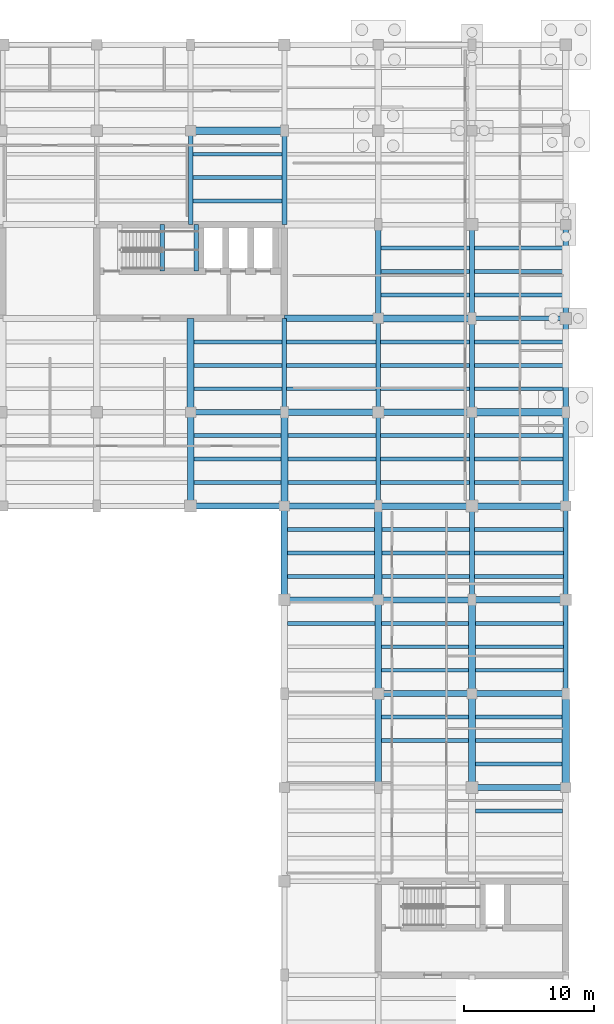
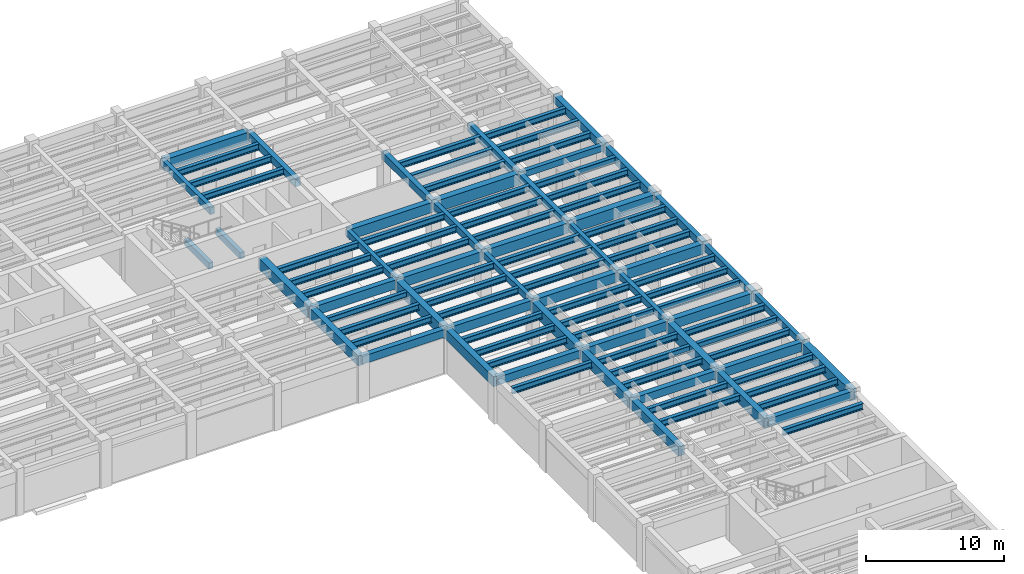
# One storey, part 13 of 33: 100 beams.
"""IFC4 building model written with IfcOpenShell, lengths in metres."""

from ifc_helpers import new_model, si_unit, direction, frame, origin, origin_2d, place, context, subcontext, project, spatial, rectangle, i_section, extrude, material, material_profile, profile_set, type_object, element, save


model = new_model("IFC4")

# Units and contexts
model_context = context("Model", 3, precision=1e-05, world=origin(), true_north=direction((0.0, 1.0)))
body_context = subcontext(model_context, "Body", "Model", "MODEL_VIEW")
ifc_project = project(units=[si_unit("LENGTHUNIT", "METRE"), si_unit("AREAUNIT", "SQUARE_METRE"), si_unit("VOLUMEUNIT", "CUBIC_METRE"), si_unit("PLANEANGLEUNIT", "RADIAN"), si_unit("MASSUNIT", "GRAM", prefix="KILO")], contexts=[model_context])

# Site, building, storey
site_placement = place(None, origin())
site = spatial("IfcSite", under=ifc_project, at=site_placement, CompositionType="ELEMENT")
building_placement = place(site_placement, origin())
building = spatial("IfcBuilding", under=site, at=building_placement, Name="Mithqara Police Headquarters", CompositionType="ELEMENT")
storey_placement = place(building_placement, frame((0.0, 0.0, -4.199951171875)))
storey = spatial("IfcBuildingStorey", under=building, at=storey_placement, Name="B1", CompositionType="ELEMENT", Elevation=-4.199951171875)

# Beams
ifc_material_1 = material(Name="Steel S355JR", Category="steel")
ifc_material_profile_1 = material_profile(ifc_material_1, i_section(OverallWidth=0.300048828125, OverallDepth=0.550048828125, WebThickness=0.014892578125, FlangeThickness=0.029052734375, FilletRadius=0.027099609375, at=origin_2d()), Name="HEB 550")
ifc_profile_set_1 = profile_set([ifc_material_profile_1], Name="Steel S355JR")
beam_type_1 = type_object("IfcBeamType", Name="BEAM HEB550", PredefinedType="BEAM", material=ifc_profile_set_1)
for number, where, z_axis, x_axis, name in (
    (1, (137.64990234375, 80.39990234375, 3.60498046875), (1.0, 0.0, 0.0), (0.0, 1.0, 0.0), "B1 Composite Steel Joist 20-21/M.1"),
    (2, (137.64990234375, 82.199951171875, 3.60498046875), (1.0, 0.0, 0.0), (0.0, 1.0, 0.0), "B1 Composite Steel Joist 20-21/M.2"),
    (3, (137.64990234375, 84.0, 3.60498046875), (1.0, 0.0, 0.0), (0.0, 1.0, 0.0), "B1 Composite Steel Joist 20-21/M.3"),
):
    element("IfcBeam", number, at=place(storey_placement, frame(where, z_axis=z_axis, x_axis=x_axis)), inside=storey, type_object=beam_type_1, Name=name, PredefinedType="BEAM", context=body_context, shape_type="SweptSolid", body=[
        extrude(i_section(OverallWidth=0.300048828125, OverallDepth=0.550048828125, WebThickness=0.014892578125, FlangeThickness=0.029052734375, FilletRadius=0.027099609375, at=origin_2d()), origin(), (0.0, 0.0, 1.0), 6.675048828125),
    ])
for number, where, z_axis, x_axis, name in (
    (4, (137.675048828125, 87.60009765625, 3.60498046875), (1.0, 0.0, 0.0), (0.0, 1.0, 0.0), "B1 Composite Steel Joist 20-21/N.1"),
    (5, (137.675048828125, 89.39990234375, 3.60498046875), (1.0, 0.0, 0.0), (0.0, 1.0, 0.0), "B1 Composite Steel Joist 20-21/N.2"),
    (6, (137.675048828125, 91.199951171875, 3.60498046875), (1.0, 0.0, 0.0), (0.0, 1.0, 0.0), "B1 Composite Steel Joist 20-21/N.3"),
):
    element("IfcBeam", number, at=place(storey_placement, frame(where, z_axis=z_axis, x_axis=x_axis)), inside=storey, type_object=beam_type_1, Name=name, PredefinedType="BEAM", context=body_context, shape_type="SweptSolid", body=[
        extrude(i_section(OverallWidth=0.300048828125, OverallDepth=0.550048828125, WebThickness=0.014892578125, FlangeThickness=0.029052734375, FilletRadius=0.027099609375, at=origin_2d()), origin(), (0.0, 0.0, 1.0), 6.75),
    ])
for number, where, z_axis, x_axis, name in (
    (7, (137.574951171875, 102.0, 3.60498046875), (1.0, 0.0, 0.0), (0.0, 1.0, 0.0), "B1 Composite Steel Joist 20-21/Q.1"),
    (8, (137.574951171875, 103.800048828125, 3.60498046875), (1.0, 0.0, 0.0), (0.0, 1.0, 0.0), "B1 Composite Steel Joist 20-21/Q.2"),
    (9, (137.574951171875, 105.60009765625, 3.60498046875), (1.0, 0.0, 0.0), (0.0, 1.0, 0.0), "B1 Composite Steel Joist 20-21/Q.3"),
):
    element("IfcBeam", number, at=place(storey_placement, frame(where, z_axis=z_axis, x_axis=x_axis)), inside=storey, type_object=beam_type_1, Name=name, PredefinedType="BEAM", context=body_context, shape_type="SweptSolid", body=[
        extrude(i_section(OverallWidth=0.300048828125, OverallDepth=0.550048828125, WebThickness=0.014892578125, FlangeThickness=0.029052734375, FilletRadius=0.027099609375, at=origin_2d()), origin(), (0.0, 0.0, 1.0), 6.824951171875),
    ])
beam_1_placement = place(storey_placement, frame((144.85009765625, 69.60009765625, 3.60498046875), z_axis=(1.0, 0.0, 0.0), x_axis=(0.0, 1.0, 0.0)))
element("IfcBeam", 10, at=beam_1_placement, inside=storey, type_object=beam_type_1, Name="B1 Composite Steel Joist 21-22/K.3", PredefinedType="BEAM", context=body_context, shape_type="SweptSolid", body=[
    extrude(i_section(OverallWidth=0.300048828125, OverallDepth=0.550048828125, WebThickness=0.014892578125, FlangeThickness=0.029052734375, FilletRadius=0.027099609375, at=origin_2d()), origin(), (0.0, 0.0, 1.0), 6.699951171875),
])
for number, where, z_axis, x_axis, name in (
    (11, (144.85009765625, 73.199951171875, 3.60498046875), (1.0, 0.0, 0.0), (0.0, 1.0, 0.0), "B1 Composite Steel Joist 21-22/L.1"),
    (12, (144.85009765625, 75.0, 3.60498046875), (1.0, 0.0, 0.0), (0.0, 1.0, 0.0), "B1 Composite Steel Joist 21-22/L.2"),
    (13, (144.85009765625, 76.800048828125, 3.60498046875), (1.0, 0.0, 0.0), (0.0, 1.0, 0.0), "B1 Composite Steel Joist 21-22/L.3"),
):
    element("IfcBeam", number, at=place(storey_placement, frame(where, z_axis=z_axis, x_axis=x_axis)), inside=storey, type_object=beam_type_1, Name=name, PredefinedType="BEAM", context=body_context, shape_type="SweptSolid", body=[
        extrude(i_section(OverallWidth=0.300048828125, OverallDepth=0.550048828125, WebThickness=0.014892578125, FlangeThickness=0.029052734375, FilletRadius=0.027099609375, at=origin_2d()), origin(), (0.0, 0.0, 1.0), 6.6748046875),
    ])
for number, where, z_axis, x_axis, name in (
    (14, (144.875, 80.39990234375, 3.60498046875), (1.0, 0.0, 0.0), (0.0, 1.0, 0.0), "B1 Composite Steel Joist 21-22/M.1"),
    (15, (144.875, 82.199951171875, 3.60498046875), (1.0, 0.0, 0.0), (0.0, 1.0, 0.0), "B1 Composite Steel Joist 21-22/M.2"),
    (16, (144.875, 84.0, 3.60498046875), (1.0, 0.0, 0.0), (0.0, 1.0, 0.0), "B1 Composite Steel Joist 21-22/M.3"),
):
    element("IfcBeam", number, at=place(storey_placement, frame(where, z_axis=z_axis, x_axis=x_axis)), inside=storey, type_object=beam_type_1, Name=name, PredefinedType="BEAM", context=body_context, shape_type="SweptSolid", body=[
        extrude(i_section(OverallWidth=0.300048828125, OverallDepth=0.550048828125, WebThickness=0.014892578125, FlangeThickness=0.029052734375, FilletRadius=0.027099609375, at=origin_2d()), origin(), (0.0, 0.0, 1.0), 6.75),
    ])
for number, where, z_axis, x_axis, name in (
    (17, (144.77490234375, 87.60009765625, 3.60498046875), (1.0, 0.0, 0.0), (0.0, 1.0, 0.0), "B1 Composite Steel Joist 21-22/N.1"),
    (18, (144.77490234375, 89.39990234375, 3.60498046875), (1.0, 0.0, 0.0), (0.0, 1.0, 0.0), "B1 Composite Steel Joist 21-22/N.2"),
    (19, (144.77490234375, 91.199951171875, 3.60498046875), (1.0, 0.0, 0.0), (0.0, 1.0, 0.0), "B1 Composite Steel Joist 21-22/N.3"),
):
    element("IfcBeam", number, at=place(storey_placement, frame(where, z_axis=z_axis, x_axis=x_axis)), inside=storey, type_object=beam_type_1, Name=name, PredefinedType="BEAM", context=body_context, shape_type="SweptSolid", body=[
        extrude(i_section(OverallWidth=0.300048828125, OverallDepth=0.550048828125, WebThickness=0.014892578125, FlangeThickness=0.029052734375, FilletRadius=0.027099609375, at=origin_2d()), origin(), (0.0, 0.0, 1.0), 6.85009765625),
    ])
for number, where, z_axis, x_axis, name in (
    (20, (152.050048828125, 60.60009765625, 3.60498046875), (1.0, 0.0, 0.0), (0.0, 1.0, 0.0), "B1 Composite Steel Joist 22-23/J.2"),
    (21, (152.050048828125, 62.39990234375, 3.60498046875), (1.0, 0.0, 0.0), (0.0, 1.0, 0.0), "B1 Composite Steel Joist 22-23/J.3"),
):
    element("IfcBeam", number, at=place(storey_placement, frame(where, z_axis=z_axis, x_axis=x_axis)), inside=storey, type_object=beam_type_1, Name=name, PredefinedType="BEAM", context=body_context, shape_type="SweptSolid", body=[
        extrude(i_section(OverallWidth=0.300048828125, OverallDepth=0.550048828125, WebThickness=0.014892578125, FlangeThickness=0.029052734375, FilletRadius=0.027099609375, at=origin_2d()), origin(), (0.0, 0.0, 1.0), 6.699951171875),
    ])
for number, where, z_axis, x_axis, name in (
    (22, (152.050048828125, 66.0, 3.60498046875), (1.0, 0.0, 0.0), (0.0, 1.0, 0.0), "B1 Composite Steel Joist 22-23/K.1"),
    (23, (152.050048828125, 67.800048828125, 3.60498046875), (1.0, 0.0, 0.0), (0.0, 1.0, 0.0), "B1 Composite Steel Joist 22-23/K.2"),
    (24, (152.050048828125, 69.60009765625, 3.60498046875), (1.0, 0.0, 0.0), (0.0, 1.0, 0.0), "B1 Composite Steel Joist 22-23/K.3"),
):
    element("IfcBeam", number, at=place(storey_placement, frame(where, z_axis=z_axis, x_axis=x_axis)), inside=storey, type_object=beam_type_1, Name=name, PredefinedType="BEAM", context=body_context, shape_type="SweptSolid", body=[
        extrude(i_section(OverallWidth=0.300048828125, OverallDepth=0.550048828125, WebThickness=0.014892578125, FlangeThickness=0.029052734375, FilletRadius=0.027099609375, at=origin_2d()), origin(), (0.0, 0.0, 1.0), 6.675048828125),
    ])
for number, where, z_axis, x_axis, name in (
    (25, (152.074951171875, 73.199951171875, 3.60498046875), (1.0, 0.0, 0.0), (0.0, 1.0, 0.0), "B1 Composite Steel Joist 22-23/L.1"),
    (26, (152.074951171875, 75.0, 3.60498046875), (1.0, 0.0, 0.0), (0.0, 1.0, 0.0), "B1 Composite Steel Joist 22-23/L.2"),
    (27, (152.074951171875, 76.800048828125, 3.60498046875), (1.0, 0.0, 0.0), (0.0, 1.0, 0.0), "B1 Composite Steel Joist 22-23/L.3"),
):
    element("IfcBeam", number, at=place(storey_placement, frame(where, z_axis=z_axis, x_axis=x_axis)), inside=storey, type_object=beam_type_1, Name=name, PredefinedType="BEAM", context=body_context, shape_type="SweptSolid", body=[
        extrude(i_section(OverallWidth=0.300048828125, OverallDepth=0.550048828125, WebThickness=0.014892578125, FlangeThickness=0.029052734375, FilletRadius=0.027099609375, at=origin_2d()), origin(), (0.0, 0.0, 1.0), 6.75),
    ])
for number, where, z_axis, x_axis, name in (
    (28, (151.97509765625, 80.39990234375, 3.60498046875), (1.0, 0.0, 0.0), (0.0, 1.0, 0.0), "B1 Composite Steel Joist 22-23/M.1"),
    (29, (151.97509765625, 82.199951171875, 3.60498046875), (1.0, 0.0, 0.0), (0.0, 1.0, 0.0), "B1 Composite Steel Joist 22-23/M.2"),
    (30, (151.97509765625, 84.0, 3.60498046875), (1.0, 0.0, 0.0), (0.0, 1.0, 0.0), "B1 Composite Steel Joist 22-23/M.3"),
):
    element("IfcBeam", number, at=place(storey_placement, frame(where, z_axis=z_axis, x_axis=x_axis)), inside=storey, type_object=beam_type_1, Name=name, PredefinedType="BEAM", context=body_context, shape_type="SweptSolid", body=[
        extrude(i_section(OverallWidth=0.300048828125, OverallDepth=0.550048828125, WebThickness=0.014892578125, FlangeThickness=0.029052734375, FilletRadius=0.027099609375, at=origin_2d()), origin(), (0.0, 0.0, 1.0), 6.849853515625),
    ])
for number, where, z_axis, x_axis, name in (
    (31, (151.97509765625, 87.60009765625, 3.60498046875), (1.0, 0.0, 0.0), (0.0, 1.0, 0.0), "B1 Composite Steel Joist 22-23/N.1"),
    (32, (151.97509765625, 89.39990234375, 3.60498046875), (1.0, 0.0, 0.0), (0.0, 1.0, 0.0), "B1 Composite Steel Joist 22-23/N.2"),
    (33, (151.97509765625, 91.199951171875, 3.60498046875), (1.0, 0.0, 0.0), (0.0, 1.0, 0.0), "B1 Composite Steel Joist 22-23/N.3"),
):
    element("IfcBeam", number, at=place(storey_placement, frame(where, z_axis=z_axis, x_axis=x_axis)), inside=storey, type_object=beam_type_1, Name=name, PredefinedType="BEAM", context=body_context, shape_type="SweptSolid", body=[
        extrude(i_section(OverallWidth=0.300048828125, OverallDepth=0.550048828125, WebThickness=0.014892578125, FlangeThickness=0.029052734375, FilletRadius=0.027099609375, at=origin_2d()), origin(), (0.0, 0.0, 1.0), 6.824951171875),
    ])
for number, where, z_axis, x_axis, name in (
    (34, (152.0, 94.800048828125, 3.60498046875), (1.0, 0.0, 0.0), (0.0, 1.0, 0.0), "B1 Composite Steel Joist 22-23/P.1"),
    (35, (152.0, 96.60009765625, 3.60498046875), (1.0, 0.0, 0.0), (0.0, 1.0, 0.0), "B1 Composite Steel Joist 22-23/P.2"),
    (36, (152.0, 98.39990234375, 3.60498046875), (1.0, 0.0, 0.0), (0.0, 1.0, 0.0), "B1 Composite Steel Joist 22-23/P.3"),
):
    element("IfcBeam", number, at=place(storey_placement, frame(where, z_axis=z_axis, x_axis=x_axis)), inside=storey, type_object=beam_type_1, Name=name, PredefinedType="BEAM", context=body_context, shape_type="SweptSolid", body=[
        extrude(i_section(OverallWidth=0.300048828125, OverallDepth=0.550048828125, WebThickness=0.014892578125, FlangeThickness=0.029052734375, FilletRadius=0.027099609375, at=origin_2d()), origin(), (0.0, 0.0, 1.0), 6.800048828125),
    ])
beam_2_placement = place(storey_placement, frame((159.25, 55.199951171875, 3.60498046875), z_axis=(1.0, 0.0, 0.0), x_axis=(0.0, 1.0, 0.0)))
element("IfcBeam", 37, at=beam_2_placement, inside=storey, type_object=beam_type_1, Name="B1 Composite Steel Joist 23-24/H.3", PredefinedType="BEAM", context=body_context, shape_type="SweptSolid", body=[
    extrude(i_section(OverallWidth=0.300048828125, OverallDepth=0.550048828125, WebThickness=0.014892578125, FlangeThickness=0.029052734375, FilletRadius=0.027099609375, at=origin_2d()), origin(), (0.0, 0.0, 1.0), 6.699951171875),
])
for number, where, z_axis, x_axis, name in (
    (38, (159.25, 58.800048828125, 3.60498046875), (1.0, 0.0, 0.0), (0.0, 1.0, 0.0), "B1 Composite Steel Joist 23-24/J.1"),
    (39, (159.25, 60.60009765625, 3.60498046875), (1.0, 0.0, 0.0), (0.0, 1.0, 0.0), "B1 Composite Steel Joist 23-24/J.2"),
    (40, (159.25, 62.39990234375, 3.60498046875), (1.0, 0.0, 0.0), (0.0, 1.0, 0.0), "B1 Composite Steel Joist 23-24/J.3"),
):
    element("IfcBeam", number, at=place(storey_placement, frame(where, z_axis=z_axis, x_axis=x_axis)), inside=storey, type_object=beam_type_1, Name=name, PredefinedType="BEAM", context=body_context, shape_type="SweptSolid", body=[
        extrude(i_section(OverallWidth=0.300048828125, OverallDepth=0.550048828125, WebThickness=0.014892578125, FlangeThickness=0.029052734375, FilletRadius=0.027099609375, at=origin_2d()), origin(), (0.0, 0.0, 1.0), 6.675048828125),
    ])
for number, where, z_axis, x_axis, name in (
    (41, (159.27490234375, 66.0, 3.60498046875), (1.0, 0.0, 0.0), (0.0, 1.0, 0.0), "B1 Composite Steel Joist 23-24/K.1"),
    (42, (159.27490234375, 67.800048828125, 3.60498046875), (1.0, 0.0, 0.0), (0.0, 1.0, 0.0), "B1 Composite Steel Joist 23-24/K.2"),
    (43, (159.27490234375, 69.60009765625, 3.60498046875), (1.0, 0.0, 0.0), (0.0, 1.0, 0.0), "B1 Composite Steel Joist 23-24/K.3"),
):
    element("IfcBeam", number, at=place(storey_placement, frame(where, z_axis=z_axis, x_axis=x_axis)), inside=storey, type_object=beam_type_1, Name=name, PredefinedType="BEAM", context=body_context, shape_type="SweptSolid", body=[
        extrude(i_section(OverallWidth=0.300048828125, OverallDepth=0.550048828125, WebThickness=0.014892578125, FlangeThickness=0.029052734375, FilletRadius=0.027099609375, at=origin_2d()), origin(), (0.0, 0.0, 1.0), 6.75),
    ])
for number, where, z_axis, x_axis, name in (
    (44, (159.175048828125, 73.199951171875, 3.60498046875), (1.0, 0.0, 0.0), (0.0, 1.0, 0.0), "B1 Composite Steel Joist 23-24/L.1"),
    (45, (159.175048828125, 75.0, 3.60498046875), (1.0, 0.0, 0.0), (0.0, 1.0, 0.0), "B1 Composite Steel Joist 23-24/L.2"),
    (46, (159.175048828125, 76.800048828125, 3.60498046875), (1.0, 0.0, 0.0), (0.0, 1.0, 0.0), "B1 Composite Steel Joist 23-24/L.3"),
):
    element("IfcBeam", number, at=place(storey_placement, frame(where, z_axis=z_axis, x_axis=x_axis)), inside=storey, type_object=beam_type_1, Name=name, PredefinedType="BEAM", context=body_context, shape_type="SweptSolid", body=[
        extrude(i_section(OverallWidth=0.300048828125, OverallDepth=0.550048828125, WebThickness=0.014892578125, FlangeThickness=0.029052734375, FilletRadius=0.027099609375, at=origin_2d()), origin(), (0.0, 0.0, 1.0), 6.849853515625),
    ])
for number, where, z_axis, x_axis, name in (
    (47, (159.175048828125, 80.39990234375, 3.60498046875), (1.0, 0.0, 0.0), (0.0, 1.0, 0.0), "B1 Composite Steel Joist 23-24/M.1"),
    (48, (159.175048828125, 82.199951171875, 3.60498046875), (1.0, 0.0, 0.0), (0.0, 1.0, 0.0), "B1 Composite Steel Joist 23-24/M.2"),
    (49, (159.175048828125, 84.0, 3.60498046875), (1.0, 0.0, 0.0), (0.0, 1.0, 0.0), "B1 Composite Steel Joist 23-24/M.3"),
):
    element("IfcBeam", number, at=place(storey_placement, frame(where, z_axis=z_axis, x_axis=x_axis)), inside=storey, type_object=beam_type_1, Name=name, PredefinedType="BEAM", context=body_context, shape_type="SweptSolid", body=[
        extrude(i_section(OverallWidth=0.300048828125, OverallDepth=0.550048828125, WebThickness=0.014892578125, FlangeThickness=0.029052734375, FilletRadius=0.027099609375, at=origin_2d()), origin(), (0.0, 0.0, 1.0), 6.824951171875),
    ])
for number, where, z_axis, x_axis, name in (
    (50, (159.199951171875, 87.60009765625, 3.60498046875), (1.0, 0.0, 0.0), (0.0, 1.0, 0.0), "B1 Composite Steel Joist 23-24/N.1"),
    (51, (159.199951171875, 89.39990234375, 3.60498046875), (1.0, 0.0, 0.0), (0.0, 1.0, 0.0), "B1 Composite Steel Joist 23-24/N.2"),
    (52, (159.199951171875, 91.199951171875, 3.60498046875), (1.0, 0.0, 0.0), (0.0, 1.0, 0.0), "B1 Composite Steel Joist 23-24/N.3"),
):
    element("IfcBeam", number, at=place(storey_placement, frame(where, z_axis=z_axis, x_axis=x_axis)), inside=storey, type_object=beam_type_1, Name=name, PredefinedType="BEAM", context=body_context, shape_type="SweptSolid", body=[
        extrude(i_section(OverallWidth=0.300048828125, OverallDepth=0.550048828125, WebThickness=0.014892578125, FlangeThickness=0.029052734375, FilletRadius=0.027099609375, at=origin_2d()), origin(), (0.0, 0.0, 1.0), 6.800048828125),
    ])
for number, where, z_axis, x_axis, name in (
    (53, (159.199951171875, 94.800048828125, 3.60498046875), (1.0, 0.0, 0.0), (0.0, 1.0, 0.0), "B1 Composite Steel Joist 23-24/P.1"),
    (54, (159.199951171875, 96.60009765625, 3.60498046875), (1.0, 0.0, 0.0), (0.0, 1.0, 0.0), "B1 Composite Steel Joist 23-24/P.2"),
    (55, (159.199951171875, 98.39990234375, 3.60498046875), (1.0, 0.0, 0.0), (0.0, 1.0, 0.0), "B1 Composite Steel Joist 23-24/P.3"),
):
    element("IfcBeam", number, at=place(storey_placement, frame(where, z_axis=z_axis, x_axis=x_axis)), inside=storey, type_object=beam_type_1, Name=name, PredefinedType="BEAM", context=body_context, shape_type="SweptSolid", body=[
        extrude(i_section(OverallWidth=0.300048828125, OverallDepth=0.550048828125, WebThickness=0.014892578125, FlangeThickness=0.029052734375, FilletRadius=0.027099609375, at=origin_2d()), origin(), (0.0, 0.0, 1.0), 6.775146484375),
    ])
ifc_material_2 = material(Name="Concrete C40/50", Category="concrete")
ifc_material_profile_2 = material_profile(ifc_material_2, rectangle(XDim=0.35009765625, YDim=0.550048828125, at=origin_2d()), Name="RC 350x550")
ifc_profile_set_2 = profile_set([ifc_material_profile_2], Name="Concrete C40/50")
beam_type_2 = type_object("IfcBeamType", Name="BEAM RC350X550", PredefinedType="BEAM", material=ifc_profile_set_2)
for number, where, z_axis, x_axis, name in (
    (56, (144.60009765625, 85.800048828125, 3.60498046875), (0.0, 1.0, 0.0), (-1.0, 0.0, 0.0), "B1 Girder 21/N-P"),
    (57, (151.800048828125, 78.60009765625, 3.60498046875), (0.0, 1.0, 0.0), (-1.0, 0.0, 0.0), "B1 Girder 22/M-N"),
):
    element("IfcBeam", number, at=place(storey_placement, frame(where, z_axis=z_axis, x_axis=x_axis)), inside=storey, type_object=beam_type_2, Name=name, PredefinedType="BEAM", context=body_context, shape_type="SweptSolid", body=[
        extrude(rectangle(XDim=0.35009765625, YDim=0.550048828125, at=origin_2d()), origin(), (0.0, 0.0, 1.0), 7.199951171875),
    ])
beam_3_placement = place(storey_placement, frame((159.0, 71.39990234375, 3.60498046875), z_axis=(0.0, 1.0, 0.0), x_axis=(-1.0, 0.0, 0.0)))
element("IfcBeam", 58, at=beam_3_placement, inside=storey, type_object=beam_type_2, Name="B1 Girder 23/L-M", PredefinedType="BEAM", context=body_context, shape_type="SweptSolid", body=[
    extrude(rectangle(XDim=0.35009765625, YDim=0.550048828125, at=origin_2d()), origin(), (0.0, 0.0, 1.0), 7.2001953125),
])
for number, where, z_axis, x_axis, name in (
    (59, (159.0, 93.0, 3.60498046875), (1.0, 0.0, 0.0), (0.0, 1.0, 0.0), "B1 Girder 23-24/P"),
    (60, (166.199951171875, 64.199951171875, 3.60498046875), (0.0, 1.0, 0.0), (-1.0, 0.0, 0.0), "B1 Girder 24/K-L"),
):
    element("IfcBeam", number, at=place(storey_placement, frame(where, z_axis=z_axis, x_axis=x_axis)), inside=storey, type_object=beam_type_2, Name=name, PredefinedType="BEAM", context=body_context, shape_type="SweptSolid", body=[
        extrude(rectangle(XDim=0.35009765625, YDim=0.550048828125, at=origin_2d()), origin(), (0.0, 0.0, 1.0), 7.199951171875),
    ])
for number, where, z_axis, x_axis, name in (
    (61, (135.22998046875, 96.6201171875, 1.635009765625), (0.0, 1.0, 0.0), (-1.0, 0.0, 0.0), "B1 ST-02 Half-Landing Bearer LF"),
    (62, (137.85009765625, 96.6201171875, 1.635009765625), (0.0, 1.0, 0.0), (-1.0, 0.0, 0.0), "B1 ST-02 Half-Landing Bearer LB"),
):
    element("IfcBeam", number, at=place(storey_placement, frame(where, z_axis=z_axis, x_axis=x_axis)), inside=storey, type_object=beam_type_2, Name=name, PredefinedType="BEAM", context=body_context, shape_type="SweptSolid", body=[
        extrude(rectangle(XDim=0.35009765625, YDim=0.550048828125, at=origin_2d()), origin(), (0.0, 0.0, 1.0), 3.579833984375),
    ])
ifc_material_profile_3 = material_profile(ifc_material_2, rectangle(XDim=0.35009765625, YDim=0.60009765625, at=origin_2d()), Name="RC 350x600")
ifc_profile_set_3 = profile_set([ifc_material_profile_3], Name="Concrete C40/50")
beam_type_3 = type_object("IfcBeamType", Name="BEAM RC350X600", PredefinedType="BEAM", material=ifc_profile_set_3)
for number, where, z_axis, x_axis, name in (
    (63, (137.39990234375, 100.199951171875, 3.579833984375), (0.0, 1.0, 0.0), (-1.0, 0.0, 0.0), "B1 Girder 20/Q-R"),
    (64, (151.800048828125, 85.800048828125, 3.579833984375), (0.0, 1.0, 0.0), (-1.0, 0.0, 0.0), "B1 Girder 22/N-P"),
    (65, (159.0, 78.60009765625, 3.579833984375), (0.0, 1.0, 0.0), (-1.0, 0.0, 0.0), "B1 Girder 23/M-N"),
):
    element("IfcBeam", number, at=place(storey_placement, frame(where, z_axis=z_axis, x_axis=x_axis)), inside=storey, type_object=beam_type_3, Name=name, PredefinedType="BEAM", context=body_context, shape_type="SweptSolid", body=[
        extrude(rectangle(XDim=0.35009765625, YDim=0.60009765625, at=origin_2d()), origin(), (0.0, 0.0, 1.0), 7.199951171875),
    ])
beam_4_placement = place(storey_placement, frame((166.199951171875, 71.39990234375, 3.579833984375), z_axis=(0.0, 1.0, 0.0), x_axis=(-1.0, 0.0, 0.0)))
element("IfcBeam", 66, at=beam_4_placement, inside=storey, type_object=beam_type_3, Name="B1 Girder 24/L-M", PredefinedType="BEAM", context=body_context, shape_type="SweptSolid", body=[
    extrude(rectangle(XDim=0.35009765625, YDim=0.60009765625, at=origin_2d()), origin(), (0.0, 0.0, 1.0), 7.2001953125),
])
ifc_material_profile_4 = material_profile(ifc_material_2, rectangle(XDim=0.39990234375, YDim=0.64990234375, at=origin_2d()), Name="RC 400x650")
ifc_profile_set_4 = profile_set([ifc_material_profile_4], Name="Concrete C40/50")
beam_type_4 = type_object("IfcBeamType", Name="BEAM RC400X650", PredefinedType="BEAM", material=ifc_profile_set_4)
for number, where, z_axis, x_axis, name in (
    (67, (144.60009765625, 100.199951171875, 3.554931640625), (0.0, 1.0, 0.0), (-1.0, 0.0, 0.0), "B1 Girder 21/Q-R"),
    (68, (151.800048828125, 93.0, 3.554931640625), (0.0, 1.0, 0.0), (-1.0, 0.0, 0.0), "B1 Girder 22/P-Q"),
    (69, (159.0, 85.800048828125, 3.554931640625), (0.0, 1.0, 0.0), (-1.0, 0.0, 0.0), "B1 Girder 23/N-P"),
    (70, (166.199951171875, 78.60009765625, 3.554931640625), (0.0, 1.0, 0.0), (-1.0, 0.0, 0.0), "B1 Girder 24/M-N"),
):
    element("IfcBeam", number, at=place(storey_placement, frame(where, z_axis=z_axis, x_axis=x_axis)), inside=storey, type_object=beam_type_4, Name=name, PredefinedType="BEAM", context=body_context, shape_type="SweptSolid", body=[
        extrude(rectangle(XDim=0.39990234375, YDim=0.64990234375, at=origin_2d()), origin(), (0.0, 0.0, 1.0), 7.199951171875),
    ])
ifc_material_profile_5 = material_profile(ifc_material_2, rectangle(XDim=0.39990234375, YDim=0.75, at=origin_2d()), Name="RC 400x750")
ifc_profile_set_5 = profile_set([ifc_material_profile_5], Name="Concrete C40/50")
beam_type_5 = type_object("IfcBeamType", Name="BEAM RC400X750", PredefinedType="BEAM", material=ifc_profile_set_5)
for number, where, z_axis, x_axis, name in (
    (71, (159.0, 93.0, 3.5048828125), (0.0, 1.0, 0.0), (-1.0, 0.0, 0.0), "B1 Girder 23/P-Q"),
    (72, (166.199951171875, 85.800048828125, 3.5048828125), (0.0, 1.0, 0.0), (-1.0, 0.0, 0.0), "B1 Girder 24/N-P"),
):
    element("IfcBeam", number, at=place(storey_placement, frame(where, z_axis=z_axis, x_axis=x_axis)), inside=storey, type_object=beam_type_5, Name=name, PredefinedType="BEAM", context=body_context, shape_type="SweptSolid", body=[
        extrude(rectangle(XDim=0.39990234375, YDim=0.75, at=origin_2d()), origin(), (0.0, 0.0, 1.0), 7.199951171875),
    ])
ifc_material_profile_6 = material_profile(ifc_material_2, rectangle(XDim=0.449951171875, YDim=0.699951171875, at=origin_2d()), Name="RC 450x700")
ifc_profile_set_6 = profile_set([ifc_material_profile_6], Name="Concrete C40/50")
beam_type_6 = type_object("IfcBeamType", Name="BEAM RC450X700", PredefinedType="BEAM", material=ifc_profile_set_6)
beam_5_placement = place(storey_placement, frame((137.39990234375, 78.60009765625, 3.530029296875), z_axis=(1.0, 0.0, 0.0), x_axis=(0.0, 1.0, 0.0)))
element("IfcBeam", 73, at=beam_5_placement, inside=storey, type_object=beam_type_6, Name="B1 Girder 20-21/M", PredefinedType="BEAM", context=body_context, shape_type="SweptSolid", body=[
    extrude(rectangle(XDim=0.449951171875, YDim=0.699951171875, at=origin_2d()), origin(), (0.0, 0.0, 1.0), 7.2001953125),
])
for number, where, z_axis, x_axis, name in (
    (74, (144.60009765625, 71.39990234375, 3.530029296875), (1.0, 0.0, 0.0), (0.0, 1.0, 0.0), "B1 Girder 21-22/L"),
    (75, (151.800048828125, 64.199951171875, 3.530029296875), (1.0, 0.0, 0.0), (0.0, 1.0, 0.0), "B1 Girder 22-23/K"),
    (76, (159.0, 57.0, 3.530029296875), (1.0, 0.0, 0.0), (0.0, 1.0, 0.0), "B1 Girder 23-24/J"),
    (77, (166.199951171875, 93.0, 3.530029296875), (0.0, 1.0, 0.0), (-1.0, 0.0, 0.0), "B1 Girder 24/P-Q"),
):
    element("IfcBeam", number, at=place(storey_placement, frame(where, z_axis=z_axis, x_axis=x_axis)), inside=storey, type_object=beam_type_6, Name=name, PredefinedType="BEAM", context=body_context, shape_type="SweptSolid", body=[
        extrude(rectangle(XDim=0.449951171875, YDim=0.699951171875, at=origin_2d()), origin(), (0.0, 0.0, 1.0), 7.199951171875),
    ])
ifc_material_profile_7 = material_profile(ifc_material_2, rectangle(XDim=0.449951171875, YDim=0.800048828125, at=origin_2d()), Name="RC 450x800")
ifc_profile_set_7 = profile_set([ifc_material_profile_7], Name="Concrete C40/50")
beam_type_7 = type_object("IfcBeamType", Name="BEAM RC450X800", PredefinedType="BEAM", material=ifc_profile_set_7)
beam_6_placement = place(storey_placement, frame((137.39990234375, 85.800048828125, 3.47998046875), z_axis=(1.0, 0.0, 0.0), x_axis=(0.0, 1.0, 0.0)))
element("IfcBeam", 78, at=beam_6_placement, inside=storey, type_object=beam_type_7, Name="B1 Girder 20-21/N", PredefinedType="BEAM", context=body_context, shape_type="SweptSolid", body=[
    extrude(rectangle(XDim=0.449951171875, YDim=0.800048828125, at=origin_2d()), origin(), (0.0, 0.0, 1.0), 7.2001953125),
])
for number, where, z_axis, x_axis, name in (
    (79, (144.60009765625, 78.60009765625, 3.47998046875), (1.0, 0.0, 0.0), (0.0, 1.0, 0.0), "B1 Girder 21-22/M"),
    (80, (151.800048828125, 71.39990234375, 3.47998046875), (1.0, 0.0, 0.0), (0.0, 1.0, 0.0), "B1 Girder 22-23/L"),
    (81, (159.0, 64.199951171875, 3.47998046875), (1.0, 0.0, 0.0), (0.0, 1.0, 0.0), "B1 Girder 23-24/K"),
):
    element("IfcBeam", number, at=place(storey_placement, frame(where, z_axis=z_axis, x_axis=x_axis)), inside=storey, type_object=beam_type_7, Name=name, PredefinedType="BEAM", context=body_context, shape_type="SweptSolid", body=[
        extrude(rectangle(XDim=0.449951171875, YDim=0.800048828125, at=origin_2d()), origin(), (0.0, 0.0, 1.0), 7.199951171875),
    ])
ifc_material_profile_8 = material_profile(ifc_material_2, rectangle(XDim=0.5, YDim=0.85009765625, at=origin_2d()), Name="RC 500x850")
ifc_profile_set_8 = profile_set([ifc_material_profile_8], Name="Concrete C40/50")
beam_type_8 = type_object("IfcBeamType", Name="BEAM RC500X850", PredefinedType="BEAM", material=ifc_profile_set_8)
for number, where, z_axis, x_axis, name in (
    (82, (144.60009765625, 85.800048828125, 3.454833984375), (1.0, 0.0, 0.0), (0.0, 1.0, 0.0), "B1 Girder 21-22/N"),
    (83, (151.800048828125, 57.0, 3.454833984375), (0.0, 1.0, 0.0), (-1.0, 0.0, 0.0), "B1 Girder 22/J-K"),
    (84, (151.800048828125, 78.60009765625, 3.454833984375), (1.0, 0.0, 0.0), (0.0, 1.0, 0.0), "B1 Girder 22-23/M"),
    (85, (159.0, 71.39990234375, 3.454833984375), (1.0, 0.0, 0.0), (0.0, 1.0, 0.0), "B1 Girder 23-24/L"),
):
    element("IfcBeam", number, at=place(storey_placement, frame(where, z_axis=z_axis, x_axis=x_axis)), inside=storey, type_object=beam_type_8, Name=name, PredefinedType="BEAM", context=body_context, shape_type="SweptSolid", body=[
        extrude(rectangle(XDim=0.5, YDim=0.85009765625, at=origin_2d()), origin(), (0.0, 0.0, 1.0), 7.199951171875),
    ])
ifc_material_3 = material(Name="Concrete C50/60", Category="concrete")
ifc_material_profile_9 = material_profile(ifc_material_3, rectangle(XDim=0.5, YDim=0.89990234375, at=origin_2d()), Name="RC 500x900")
ifc_profile_set_9 = profile_set([ifc_material_profile_9], Name="Concrete C50/60")
beam_type_9 = type_object("IfcBeamType", Name="BEAM RC500X900", PredefinedType="BEAM", material=ifc_profile_set_9)
beam_7_placement = place(storey_placement, frame((137.39990234375, 78.60009765625, 3.429931640625), z_axis=(0.0, 1.0, 0.0), x_axis=(-1.0, 0.0, 0.0)))
element("IfcBeam", 86, at=beam_7_placement, inside=storey, type_object=beam_type_9, Name="B1 Girder 20/M-N", PredefinedType="BEAM", context=body_context, shape_type="SweptSolid", body=[
    extrude(rectangle(XDim=0.5, YDim=0.89990234375, at=origin_2d()), origin(), (0.0, 0.0, 1.0), 7.199951171875),
])
beam_8_placement = place(storey_placement, frame((144.60009765625, 71.39990234375, 3.429931640625), z_axis=(0.0, 1.0, 0.0), x_axis=(-1.0, 0.0, 0.0)))
element("IfcBeam", 87, at=beam_8_placement, inside=storey, type_object=beam_type_9, Name="B1 Girder 21/L-M", PredefinedType="BEAM", context=body_context, shape_type="SweptSolid", body=[
    extrude(rectangle(XDim=0.5, YDim=0.89990234375, at=origin_2d()), origin(), (0.0, 0.0, 1.0), 7.2001953125),
])
for number, where, z_axis, x_axis, name in (
    (88, (144.60009765625, 93.0, 3.429931640625), (1.0, 0.0, 0.0), (0.0, 1.0, 0.0), "B1 Girder 21-22/P"),
    (89, (151.800048828125, 64.199951171875, 3.429931640625), (0.0, 1.0, 0.0), (-1.0, 0.0, 0.0), "B1 Girder 22/K-L"),
    (90, (151.800048828125, 85.800048828125, 3.429931640625), (1.0, 0.0, 0.0), (0.0, 1.0, 0.0), "B1 Girder 22-23/N"),
    (91, (159.0, 57.0, 3.429931640625), (0.0, 1.0, 0.0), (-1.0, 0.0, 0.0), "B1 Girder 23/J-K"),
    (92, (159.0, 78.60009765625, 3.429931640625), (1.0, 0.0, 0.0), (0.0, 1.0, 0.0), "B1 Girder 23-24/M"),
):
    element("IfcBeam", number, at=place(storey_placement, frame(where, z_axis=z_axis, x_axis=x_axis)), inside=storey, type_object=beam_type_9, Name=name, PredefinedType="BEAM", context=body_context, shape_type="SweptSolid", body=[
        extrude(rectangle(XDim=0.5, YDim=0.89990234375, at=origin_2d()), origin(), (0.0, 0.0, 1.0), 7.199951171875),
    ])
ifc_material_profile_10 = material_profile(ifc_material_3, rectangle(XDim=0.550048828125, YDim=1.0, at=origin_2d()), Name="RC 550x1000")
ifc_profile_set_10 = profile_set([ifc_material_profile_10], Name="Concrete C50/60")
beam_type_10 = type_object("IfcBeamType", Name="BEAM RC550X1000", PredefinedType="BEAM", material=ifc_profile_set_10)
beam_9_placement = place(storey_placement, frame((137.39990234375, 85.800048828125, 3.3798828125), z_axis=(0.0, 1.0, 0.0), x_axis=(-1.0, 0.0, 0.0)))
element("IfcBeam", 93, at=beam_9_placement, inside=storey, type_object=beam_type_10, Name="B1 Girder 20/N-P", PredefinedType="BEAM", context=body_context, shape_type="SweptSolid", body=[
    extrude(rectangle(XDim=0.550048828125, YDim=1.0, at=origin_2d()), origin(), (0.0, 0.0, 1.0), 7.199951171875),
])
beam_10_placement = place(storey_placement, frame((137.39990234375, 107.39990234375, 3.3798828125), z_axis=(1.0, 0.0, 0.0), x_axis=(0.0, 1.0, 0.0)))
element("IfcBeam", 94, at=beam_10_placement, inside=storey, type_object=beam_type_10, Name="B1 Girder 20-21/R", PredefinedType="BEAM", context=body_context, shape_type="SweptSolid", body=[
    extrude(rectangle(XDim=0.550048828125, YDim=1.0, at=origin_2d()), origin(), (0.0, 0.0, 1.0), 7.2001953125),
])
beam_11_placement = place(storey_placement, frame((144.60009765625, 78.60009765625, 3.3798828125), z_axis=(0.0, 1.0, 0.0), x_axis=(-1.0, 0.0, 0.0)))
element("IfcBeam", 95, at=beam_11_placement, inside=storey, type_object=beam_type_10, Name="B1 Girder 21/M-N", PredefinedType="BEAM", context=body_context, shape_type="SweptSolid", body=[
    extrude(rectangle(XDim=0.550048828125, YDim=1.0, at=origin_2d()), origin(), (0.0, 0.0, 1.0), 7.199951171875),
])
beam_12_placement = place(storey_placement, frame((151.800048828125, 71.39990234375, 3.3798828125), z_axis=(0.0, 1.0, 0.0), x_axis=(-1.0, 0.0, 0.0)))
element("IfcBeam", 96, at=beam_12_placement, inside=storey, type_object=beam_type_10, Name="B1 Girder 22/L-M", PredefinedType="BEAM", context=body_context, shape_type="SweptSolid", body=[
    extrude(rectangle(XDim=0.550048828125, YDim=1.0, at=origin_2d()), origin(), (0.0, 0.0, 1.0), 7.2001953125),
])
for number, where, z_axis, x_axis, name in (
    (97, (151.800048828125, 93.0, 3.3798828125), (1.0, 0.0, 0.0), (0.0, 1.0, 0.0), "B1 Girder 22-23/P"),
    (98, (159.0, 64.199951171875, 3.3798828125), (0.0, 1.0, 0.0), (-1.0, 0.0, 0.0), "B1 Girder 23/K-L"),
    (99, (159.0, 85.800048828125, 3.3798828125), (1.0, 0.0, 0.0), (0.0, 1.0, 0.0), "B1 Girder 23-24/N"),
    (100, (166.199951171875, 57.0, 3.3798828125), (0.0, 1.0, 0.0), (-1.0, 0.0, 0.0), "B1 Girder 24/J-K"),
):
    element("IfcBeam", number, at=place(storey_placement, frame(where, z_axis=z_axis, x_axis=x_axis)), inside=storey, type_object=beam_type_10, Name=name, PredefinedType="BEAM", context=body_context, shape_type="SweptSolid", body=[
        extrude(rectangle(XDim=0.550048828125, YDim=1.0, at=origin_2d()), origin(), (0.0, 0.0, 1.0), 7.199951171875),
    ])

save(model, "model.ifc")
